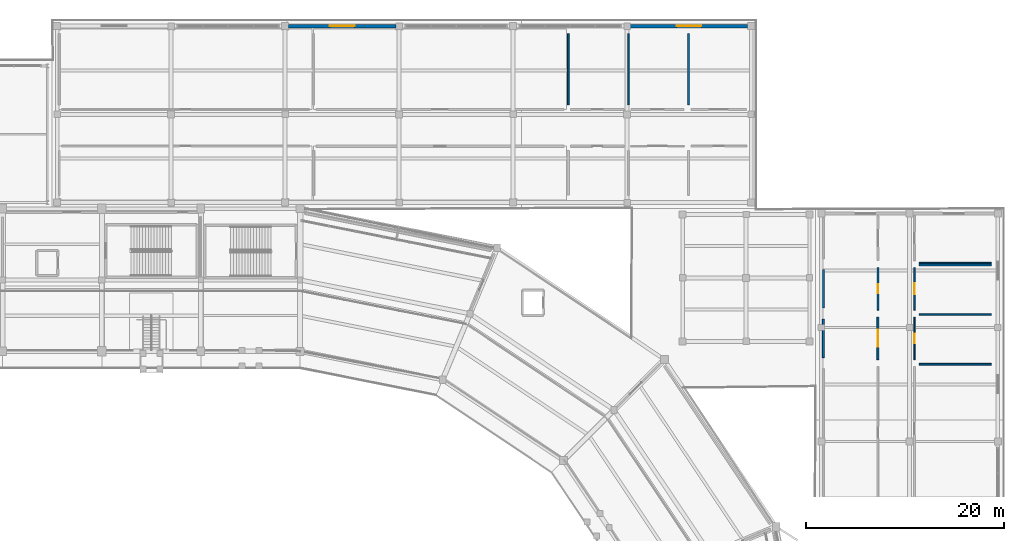
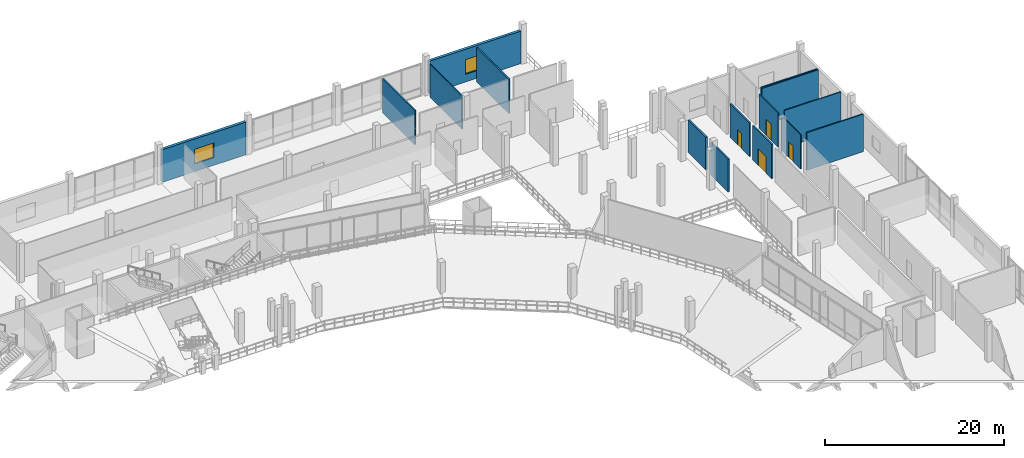
# One storey, part 86 of 127: 15 walls, 4 doors, 2 windows, 6 openings.
"""IFC4 building model written with IfcOpenShell, lengths in metres."""

from ifc_helpers import new_model, si_unit, direction, frame, frame_2d, origin, place, context, subcontext, project, spatial, rectangle, extrude, material, layer, layer_set, type_object, element, fill, save


model = new_model("IFC4")

# Units and contexts
model_context = context("Model", 3, precision=1e-05, world=origin(), true_north=direction((0.0, 1.0)))
body_context = subcontext(model_context, "Body", "Model", "MODEL_VIEW")
ifc_project = project(units=[si_unit("LENGTHUNIT", "METRE"), si_unit("AREAUNIT", "SQUARE_METRE"), si_unit("VOLUMEUNIT", "CUBIC_METRE"), si_unit("PLANEANGLEUNIT", "RADIAN"), si_unit("MASSUNIT", "GRAM", prefix="KILO")], contexts=[model_context])

# Site, building, storey
site_placement = place(None, origin())
site = spatial("IfcSite", under=ifc_project, at=site_placement, CompositionType="ELEMENT")
building_placement = place(site_placement, origin())
building = spatial("IfcBuilding", under=site, at=building_placement, Name="Candeia Ridge Stadium", CompositionType="ELEMENT")
storey_placement = place(building_placement, frame((0.0, 0.0, 10.800048828125)))
storey = spatial("IfcBuildingStorey", under=building, at=storey_placement, Name="L02", CompositionType="ELEMENT", Elevation=10.800048828125)

# Wall, opening, door
ifc_material_1 = material(Name="Gypsum Metal-Stud Partition", Category="gypsum")
ifc_layer_1 = layer(ifc_material_1, 0.14501953125, Name="Gypsum Metal-Stud Partition", Category="gypsum")
ifc_layer_set_1 = layer_set([ifc_layer_1], Name="Gypsum Metal-Stud Partition")
wall_type_1 = type_object("IfcWallType", Name="Athlete Recovery Partition 145", PredefinedType="PARTITIONING", material=ifc_layer_set_1)
wall_1_placement = place(storey_placement, frame((203.0, 136.75, 0.0), z_axis=(0.0, 0.0, 1.0), x_axis=(0.0, 1.0, 0.0)))
wall_1 = element("IfcWall", 1, at=wall_1_placement, inside=storey, type_object=wall_type_1, Name="Interior partition PT-L02-0381", PredefinedType="PARTITIONING", context=body_context, shape_type="SweptSolid", body=[
    extrude(rectangle(XDim=4.300048828125, YDim=0.14501953125, at=frame_2d((2.14990234375, 0.0))), origin(), (0.0, 0.0, 1.0), 4.60498046875),
])
opening_1_placement = place(wall_1_placement, frame((1.590087890625, 0.0, 0.0)))
opening_1 = element("IfcOpeningElement", 2, at=opening_1_placement, cuts=wall_1, Name="Opening ID18", PredefinedType="OPENING", context=body_context, shape_type="SweptSolid", body=[
    extrude(rectangle(XDim=1.1201171875, YDim=2.199951171875, at=frame_2d((0.56005859375, 1.10009765625))), frame((0.0, 0.08251953125, 0.0), z_axis=(0.0, -1.0, 0.0), x_axis=(1.0, 0.0, 0.0)), (0.0, 0.0, 1.0), 0.1650390625),
])
ifc_material_2 = material(Name="Galvanized Fire-Rated Steel", Category="steel")
door_type_1 = type_object("IfcDoorType", Name="Control Room Security Door 1120x2200", OperationType="NOTDEFINED", PredefinedType="DOOR", material=ifc_material_2)
door_1_placement = place(opening_1_placement, origin())
door_1 = element("IfcDoor", 3, at=door_1_placement, inside=storey, type_object=door_type_1, Name="Interior room door D-L02-0198", OperationType="SINGLE_SWING_LEFT", OverallHeight=2.199951171875, OverallWidth=1.1201171875, PredefinedType="DOOR", context=body_context, shape_type="SweptSolid", body=[
    extrude(rectangle(XDim=1.1201171875, YDim=2.199951171875, at=frame_2d((0.56005859375, 1.10009765625))), frame((0.0, 0.02490234375, 0.0), z_axis=(0.0, -1.0, 0.0), x_axis=(1.0, 0.0, 0.0)), (0.0, 0.0, 1.0), 0.050048828125),
])
fill(opening_1, door_1)

# Wall
ifc_material_3 = material(Name="Gypsum Acoustic Twin-Stud Assembly", Category="gypsum")
ifc_layer_2 = layer(ifc_material_3, 0.179931640625, Name="Gypsum Acoustic Twin-Stud Assembly", Category="gypsum")
ifc_layer_set_2 = layer_set([ifc_layer_2], Name="Gypsum Acoustic Twin-Stud Assembly")
wall_type_2 = type_object("IfcWallType", Name="Corridor Fire Partition 180", PredefinedType="PARTITIONING", material=ifc_layer_set_2)
wall_2_placement = place(storey_placement, frame((203.449951171875, 131.300048828125, 0.0), z_axis=(0.0, 0.0, 1.0), x_axis=(1.0, 0.0, 0.0)))
element("IfcWall", 4, at=wall_2_placement, inside=storey, type_object=wall_type_2, Name="Demising partition PT-L02-0374", PredefinedType="PARTITIONING", context=body_context, shape_type="SweptSolid", body=[
    extrude(rectangle(XDim=7.300048828125, YDim=0.179931640625, at=frame_2d((3.64990234375, 0.0))), origin(), (0.0, 0.0, 1.0), 5.119873046875),
])

# Wall, opening, window
ifc_material_4 = material(Name="Concrete C40/50", Category="concrete")
ifc_layer_3 = layer(ifc_material_4, 0.360107421875, Name="Concrete C40/50", Category="concrete")
ifc_layer_set_3 = layer_set([ifc_layer_3], Name="Concrete C40/50")
wall_type_3 = type_object("IfcWallType", Name="Exterior Basalt Plinth Wall 360", PredefinedType="SOLIDWALL", material=ifc_layer_set_3)
wall_3_placement = place(storey_placement, frame((139.837890625, 165.39990234375, 0.0), z_axis=(0.0, 0.0, 1.0), x_axis=(1.0, 0.0, 0.0)))
wall_3 = element("IfcWall", 5, at=wall_3_placement, inside=storey, type_object=wall_type_3, Name="Exterior facade wall EW-L02-0212", PredefinedType="SOLIDWALL", context=body_context, shape_type="SweptSolid", body=[
    extrude(rectangle(XDim=10.84912109375, YDim=0.360107421875, at=frame_2d((5.424560546875, 0.0))), origin(), (0.0, 0.0, 1.0), 4.454833984375),
])
opening_2_placement = place(wall_3_placement, frame((4.174560546875, 0.0, 1.050048828125)))
opening_2 = element("IfcOpeningElement", 6, at=opening_2_placement, cuts=wall_3, Name="Opening W13", PredefinedType="OPENING", context=body_context, shape_type="SweptSolid", body=[
    extrude(rectangle(XDim=2.5, YDim=2.0, at=frame_2d((1.25, 1.0))), frame((0.0, 0.18994140625, 0.0), z_axis=(0.0, -1.0, 0.0), x_axis=(1.0, 0.0, 0.0)), (0.0, 0.0, 1.0), 0.380126953125),
])
ifc_material_5 = material(Name="Tempered Solar-Control Double Glazing", Category="glass")
window_type = type_object("IfcWindowType", Name="Ticketing Hall Window 2500x2000", PartitioningType="SINGLE_PANEL", PredefinedType="WINDOW", material=ifc_material_5)
window_1_placement = place(opening_2_placement, origin())
window_1 = element("IfcWindow", 7, at=window_1_placement, inside=storey, type_object=window_type, Name="Exterior window WIN-L02-119", OverallHeight=2.0, OverallWidth=2.5, PartitioningType="SINGLE_PANEL", PredefinedType="WINDOW", context=body_context, shape_type="SweptSolid", body=[
    extrude(rectangle(XDim=2.5, YDim=2.0, at=frame_2d((1.25, 1.0))), frame((0.0, 0.030029296875, 0.0), z_axis=(0.0, -1.0, 0.0), x_axis=(1.0, 0.0, 0.0)), (0.0, 0.0, 1.0), 0.06005859375),
])
fill(opening_2, window_1)

wall_4_placement = place(storey_placement, frame((174.31298828125, 165.39990234375, 0.0), z_axis=(0.0, 0.0, 1.0), x_axis=(1.0, 0.0, 0.0)))
wall_4 = element("IfcWall", 8, at=wall_4_placement, inside=storey, type_object=wall_type_3, Name="Exterior facade wall EW-L02-0213", PredefinedType="SOLIDWALL", context=body_context, shape_type="SweptSolid", body=[
    extrude(rectangle(XDim=11.84912109375, YDim=0.360107421875, at=frame_2d((5.924560546875, 0.0))), origin(), (0.0, 0.0, 1.0), 4.454833984375),
])
opening_3_placement = place(wall_4_placement, frame((4.674560546875, 0.0, 1.050048828125)))
opening_3 = element("IfcOpeningElement", 9, at=opening_3_placement, cuts=wall_4, Name="Opening W13", PredefinedType="OPENING", context=body_context, shape_type="SweptSolid", body=[
    extrude(rectangle(XDim=2.5, YDim=2.0, at=frame_2d((1.25, 1.0))), frame((0.0, 0.18994140625, 0.0), z_axis=(0.0, -1.0, 0.0), x_axis=(1.0, 0.0, 0.0)), (0.0, 0.0, 1.0), 0.380126953125),
])
window_2_placement = place(opening_3_placement, origin())
window_2 = element("IfcWindow", 10, at=window_2_placement, inside=storey, type_object=window_type, Name="Exterior window WIN-L02-120", OverallHeight=2.0, OverallWidth=2.5, PartitioningType="SINGLE_PANEL", PredefinedType="WINDOW", context=body_context, shape_type="SweptSolid", body=[
    extrude(rectangle(XDim=2.5, YDim=2.0, at=frame_2d((1.25, 1.0))), frame((0.0, 0.030029296875, 0.0), z_axis=(0.0, -1.0, 0.0), x_axis=(1.0, 0.0, 0.0)), (0.0, 0.0, 1.0), 0.06005859375),
])
fill(opening_3, window_2)

# Wall
ifc_layer_4 = layer(ifc_material_1, 0.135009765625, Name="Gypsum Metal-Stud Partition", Category="gypsum")
ifc_layer_set_4 = layer_set([ifc_layer_4], Name="Gypsum Metal-Stud Partition")
wall_type_4 = type_object("IfcWallType", Name="General Room Partition 135", PredefinedType="PARTITIONING", material=ifc_layer_set_4)
wall_5_placement = place(storey_placement, frame((203.449951171875, 136.300048828125, 0.0), z_axis=(0.0, 0.0, 1.0), x_axis=(1.0, 0.0, 0.0)))
element("IfcWall", 11, at=wall_5_placement, inside=storey, type_object=wall_type_4, Name="Demising partition PT-L02-0378", PredefinedType="PARTITIONING", context=body_context, shape_type="SweptSolid", body=[
    extrude(rectangle(XDim=7.300048828125, YDim=0.135009765625, at=frame_2d((3.64990234375, 0.0))), origin(), (0.0, 0.0, 1.0), 5.119873046875),
])

# Wall, opening, door
ifc_material_6 = material(Name="Gypsum Acoustic Triple-Board Wall", Category="gypsum")
ifc_layer_5 = layer(ifc_material_6, 0.18994140625, Name="Gypsum Acoustic Triple-Board Wall", Category="gypsum")
ifc_layer_set_5 = layer_set([ifc_layer_5], Name="Gypsum Acoustic Triple-Board Wall")
wall_type_5 = type_object("IfcWallType", Name="Media & Commentary Studio Wall 190", PredefinedType="PARTITIONING", material=ifc_layer_set_5)
wall_6_placement = place(storey_placement, frame((199.300048828125, 136.050048828125, 0.0), z_axis=(0.0, 0.0, 1.0), x_axis=(0.0, -1.0, 0.0)))
wall_6 = element("IfcWall", 12, at=wall_6_placement, inside=storey, type_object=wall_type_5, Name="Interior partition PT-L02-0375", PredefinedType="PARTITIONING", context=body_context, shape_type="SweptSolid", body=[
    extrude(rectangle(XDim=4.300048828125, YDim=0.18994140625, at=frame_2d((2.14990234375, 0.0))), origin(), (0.0, 0.0, 1.0), 4.695068359375),
])
opening_4_placement = place(wall_6_placement, frame((1.300048828125, 0.0, 0.0)))
opening_4 = element("IfcOpeningElement", 13, at=opening_4_placement, cuts=wall_6, Name="Opening ID09", PredefinedType="OPENING", context=body_context, shape_type="SweptSolid", body=[
    extrude(rectangle(XDim=1.699951171875, YDim=2.25, at=frame_2d((0.85009765625, 1.125))), frame((0.0, 0.10498046875, 0.0), z_axis=(0.0, -1.0, 0.0), x_axis=(1.0, 0.0, 0.0)), (0.0, 0.0, 1.0), 0.2099609375),
])
ifc_material_7 = material(Name="Timber Fire-Rated Acoustic", Category="wood")
door_type_2 = type_object("IfcDoorType", Name="Founders Lounge Double Door 1700x2250", OperationType="NOTDEFINED", PredefinedType="DOOR", material=ifc_material_7)
door_2_placement = place(opening_4_placement, origin())
door_2 = element("IfcDoor", 14, at=door_2_placement, inside=storey, type_object=door_type_2, Name="Interior room door D-L02-0195", OperationType="DOUBLE_DOOR_SINGLE_SWING", OverallHeight=2.25, OverallWidth=1.699951171875, PredefinedType="DOOR", context=body_context, shape_type="SweptSolid", body=[
    extrude(rectangle(XDim=1.699951171875, YDim=2.25, at=frame_2d((0.85009765625, 1.125))), frame((0.0, 0.02490234375, 0.0), z_axis=(0.0, -1.0, 0.0), x_axis=(1.0, 0.0, 0.0)), (0.0, 0.0, 1.0), 0.050048828125),
])
fill(opening_4, door_2)

# Walls
wall_7_placement = place(storey_placement, frame((193.800048828125, 131.949951171875, 0.0), z_axis=(0.0, 0.0, 1.0), x_axis=(0.0, 1.0, 0.0)))
element("IfcWall", 15, at=wall_7_placement, inside=storey, type_object=wall_type_5, Name="Demising partition PT-L02-0376", PredefinedType="PARTITIONING", context=body_context, shape_type="SweptSolid", body=[
    extrude(rectangle(XDim=3.900146484375, YDim=0.18994140625, at=frame_2d((1.9501953125, 0.0))), origin(), (0.0, 0.0, 1.0), 4.454833984375),
])
wall_8_placement = place(storey_placement, frame((180.197998046875, 157.449951171875, 0.0), z_axis=(0.0, 0.0, 1.0), x_axis=(0.0, 1.0, 0.0)))
element("IfcWall", 16, at=wall_8_placement, inside=storey, type_object=wall_type_5, Name="Demising partition PT-L02-0446", PredefinedType="PARTITIONING", context=body_context, shape_type="SweptSolid", body=[
    extrude(rectangle(XDim=7.199951171875, YDim=0.18994140625, at=frame_2d((3.60009765625, 0.0))), origin(), (0.0, 0.0, 1.0), 4.655029296875),
])

# Wall, opening, door
ifc_layer_6 = layer(ifc_material_3, 0.175048828125, Name="Gypsum Acoustic Twin-Stud Assembly", Category="gypsum")
ifc_layer_set_6 = layer_set([ifc_layer_6], Name="Gypsum Acoustic Twin-Stud Assembly")
wall_type_6 = type_object("IfcWallType", Name="Museum Acoustic Gallery Wall 175", PredefinedType="PARTITIONING", material=ifc_layer_set_6)
wall_9_placement = place(storey_placement, frame((199.300048828125, 141.050048828125, 0.0), z_axis=(0.0, 0.0, 1.0), x_axis=(0.0, -1.0, 0.0)))
wall_9 = element("IfcWall", 17, at=wall_9_placement, inside=storey, type_object=wall_type_6, Name="Interior partition PT-L02-0379", PredefinedType="PARTITIONING", context=body_context, shape_type="SweptSolid", body=[
    extrude(rectangle(XDim=4.300048828125, YDim=0.175048828125, at=frame_2d((2.14990234375, 0.0))), origin(), (0.0, 0.0, 1.0), 4.60498046875),
])
opening_5_placement = place(wall_9_placement, frame((1.68994140625, 0.0, 0.0)))
opening_5 = element("IfcOpeningElement", 18, at=opening_5_placement, cuts=wall_9, Name="Opening ID15", PredefinedType="OPENING", context=body_context, shape_type="SweptSolid", body=[
    extrude(rectangle(XDim=0.919921875, YDim=2.10009765625, at=frame_2d((0.4599609375, 1.050048828125))), frame((0.0, 0.097412109375, 0.0), z_axis=(0.0, -1.0, 0.0), x_axis=(1.0, 0.0, 0.0)), (0.0, 0.0, 1.0), 0.195068359375),
])
ifc_material_8 = material(Name="Powder-Coated Hollow Metal", Category="steel")
door_type_3 = type_object("IfcDoorType", Name="Concourse Store Single Door 920x2100", OperationType="NOTDEFINED", PredefinedType="DOOR", material=ifc_material_8)
door_3_placement = place(opening_5_placement, frame((0.919921875, 0.0, 0.0), z_axis=(0.0, 0.0, 1.0), x_axis=(-1.0, 0.0, 0.0)))
door_3 = element("IfcDoor", 19, at=door_3_placement, inside=storey, type_object=door_type_3, Name="Interior room door D-L02-0197", OperationType="SINGLE_SWING_RIGHT", OverallHeight=2.10009765625, OverallWidth=0.919921875, PredefinedType="DOOR", context=body_context, shape_type="SweptSolid", body=[
    extrude(rectangle(XDim=0.919921875, YDim=2.10009765625, at=frame_2d((0.4599609375, 1.050048828125))), frame((0.0, 0.02490234375, 0.0), z_axis=(0.0, -1.0, 0.0), x_axis=(1.0, 0.0, 0.0)), (0.0, 0.0, 1.0), 0.050048828125),
])
fill(opening_5, door_3)

# Walls
wall_10_placement = place(storey_placement, frame((203.449951171875, 141.300048828125, 0.0), z_axis=(0.0, 0.0, 1.0), x_axis=(1.0, 0.0, 0.0)))
element("IfcWall", 20, at=wall_10_placement, inside=storey, type_object=wall_type_6, Name="Demising partition PT-L02-0382", PredefinedType="PARTITIONING", context=body_context, shape_type="SweptSolid", body=[
    extrude(rectangle(XDim=7.300048828125, YDim=0.175048828125, at=frame_2d((3.64990234375, 0.0))), origin(), (0.0, 0.0, 1.0), 5.119873046875),
])
wall_11_placement = place(storey_placement, frame((168.05810546875, 157.449951171875, 0.0), z_axis=(0.0, 0.0, 1.0), x_axis=(0.0, 1.0, 0.0)))
element("IfcWall", 21, at=wall_11_placement, inside=storey, type_object=wall_type_6, Name="Demising partition PT-L02-0438", PredefinedType="PARTITIONING", context=body_context, shape_type="SweptSolid", body=[
    extrude(rectangle(XDim=7.199951171875, YDim=0.175048828125, at=frame_2d((3.60009765625, 0.0))), origin(), (0.0, 0.0, 1.0), 4.655029296875),
])
ifc_material_9 = material(Name="Moisture-Resistant Masonry & Tile", Category="masonry")
ifc_layer_7 = layer(ifc_material_9, 0.2099609375, Name="Moisture-Resistant Masonry & Tile", Category="masonry")
ifc_layer_set_7 = layer_set([ifc_layer_7], Name="Moisture-Resistant Masonry & Tile")
wall_type_7 = type_object("IfcWallType", Name="Sanitary Wet-Wall Plumbing Chase 210", PredefinedType="PLUMBINGWALL", material=ifc_layer_set_7)
wall_12_placement = place(storey_placement, frame((193.800048828125, 136.949951171875, 0.0), z_axis=(0.0, 0.0, 1.0), x_axis=(0.0, 1.0, 0.0)))
element("IfcWall", 22, at=wall_12_placement, inside=storey, type_object=wall_type_7, Name="Demising partition PT-L02-0380", PredefinedType="PLUMBINGWALL", context=body_context, shape_type="SweptSolid", body=[
    extrude(rectangle(XDim=3.900146484375, YDim=0.2099609375, at=frame_2d((1.9501953125, 0.0))), origin(), (0.0, 0.0, 1.0), 4.454833984375),
])

# Wall, opening, door
ifc_layer_8 = layer(ifc_material_1, 0.1201171875, Name="Gypsum Metal-Stud Partition", Category="gypsum")
ifc_layer_set_8 = layer_set([ifc_layer_8], Name="Gypsum Metal-Stud Partition")
wall_type_8 = type_object("IfcWallType", Name="Suite Internal Divider 120", PredefinedType="PARTITIONING", material=ifc_layer_set_8)
wall_13_placement = place(storey_placement, frame((203.0, 131.75, 0.0), z_axis=(0.0, 0.0, 1.0), x_axis=(0.0, 1.0, 0.0)))
wall_13 = element("IfcWall", 23, at=wall_13_placement, inside=storey, type_object=wall_type_8, Name="Interior partition PT-L02-0377", PredefinedType="PARTITIONING", context=body_context, shape_type="SweptSolid", body=[
    extrude(rectangle(XDim=4.300048828125, YDim=0.1201171875, at=frame_2d((2.14990234375, 0.0))), origin(), (0.0, 0.0, 1.0), 4.695068359375),
])
opening_6_placement = place(wall_13_placement, frame((1.659912109375, 0.0, 0.0)))
opening_6 = element("IfcOpeningElement", 24, at=opening_6_placement, cuts=wall_13, Name="Opening ID12", PredefinedType="OPENING", context=body_context, shape_type="SweptSolid", body=[
    extrude(rectangle(XDim=0.97998046875, YDim=2.14990234375, at=frame_2d((0.489990234375, 1.074951171875))), frame((0.0, 0.070068359375, 0.0), z_axis=(0.0, -1.0, 0.0), x_axis=(1.0, 0.0, 0.0)), (0.0, 0.0, 1.0), 0.14013671875),
])
ifc_material_10 = material(Name="Acoustic Timber Studio Leaf", Category="wood")
door_type_4 = type_object("IfcDoorType", Name="Commentary Booth Acoustic Door 980x2150", OperationType="NOTDEFINED", PredefinedType="DOOR", material=ifc_material_10)
door_4_placement = place(opening_6_placement, frame((0.97998046875, 0.0, 0.0), z_axis=(0.0, 0.0, 1.0), x_axis=(-1.0, 0.0, 0.0)))
door_4 = element("IfcDoor", 25, at=door_4_placement, inside=storey, type_object=door_type_4, Name="Interior room door D-L02-0196", OperationType="SINGLE_SWING_LEFT", OverallHeight=2.14990234375, OverallWidth=0.97998046875, PredefinedType="DOOR", context=body_context, shape_type="SweptSolid", body=[
    extrude(rectangle(XDim=0.97998046875, YDim=2.14990234375, at=frame_2d((0.489990234375, 1.074951171875))), frame((0.0, 0.02490234375, 0.0), z_axis=(0.0, -1.0, 0.0), x_axis=(1.0, 0.0, 0.0)), (0.0, 0.0, 1.0), 0.050048828125),
])
fill(opening_6, door_4)

# Walls
ifc_layer_9 = layer(ifc_material_1, 0.1298828125, Name="Gypsum Metal-Stud Partition", Category="gypsum")
ifc_layer_set_9 = layer_set([ifc_layer_9], Name="Gypsum Metal-Stud Partition")
wall_type_9 = type_object("IfcWallType", Name="Ticketing Back-Office Partition 130", PredefinedType="PARTITIONING", material=ifc_layer_set_9)
wall_14_placement = place(storey_placement, frame((210.75, 141.5, 0.0), z_axis=(0.0, 0.0, 1.0), x_axis=(-1.0, 0.0, 0.0)))
element("IfcWall", 26, at=wall_14_placement, inside=storey, type_object=wall_type_9, Name="Demising partition PT-L02-0386", PredefinedType="PARTITIONING", context=body_context, shape_type="SweptSolid", body=[
    extrude(rectangle(XDim=7.300048828125, YDim=0.1298828125, at=frame_2d((3.64990234375, 0.0))), origin(), (0.0, 0.0, 1.0), 5.119873046875),
])
wall_15_placement = place(storey_placement, frame((174.1279296875, 157.449951171875, 0.0), z_axis=(0.0, 0.0, 1.0), x_axis=(0.0, 1.0, 0.0)))
element("IfcWall", 27, at=wall_15_placement, inside=storey, type_object=wall_type_9, Name="Demising partition PT-L02-0442", PredefinedType="PARTITIONING", context=body_context, shape_type="SweptSolid", body=[
    extrude(rectangle(XDim=7.199951171875, YDim=0.1298828125, at=frame_2d((3.60009765625, 0.0))), origin(), (0.0, 0.0, 1.0), 4.5048828125),
])

save(model, "model.ifc")
